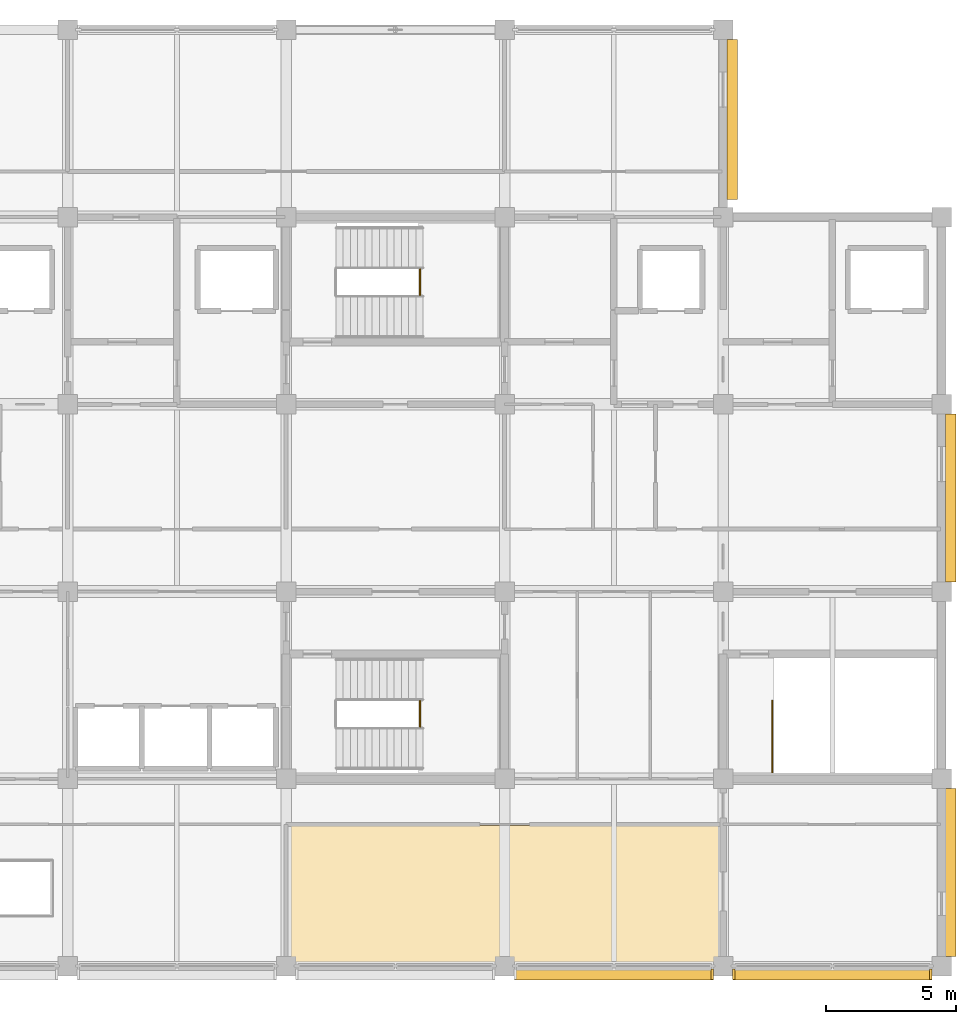
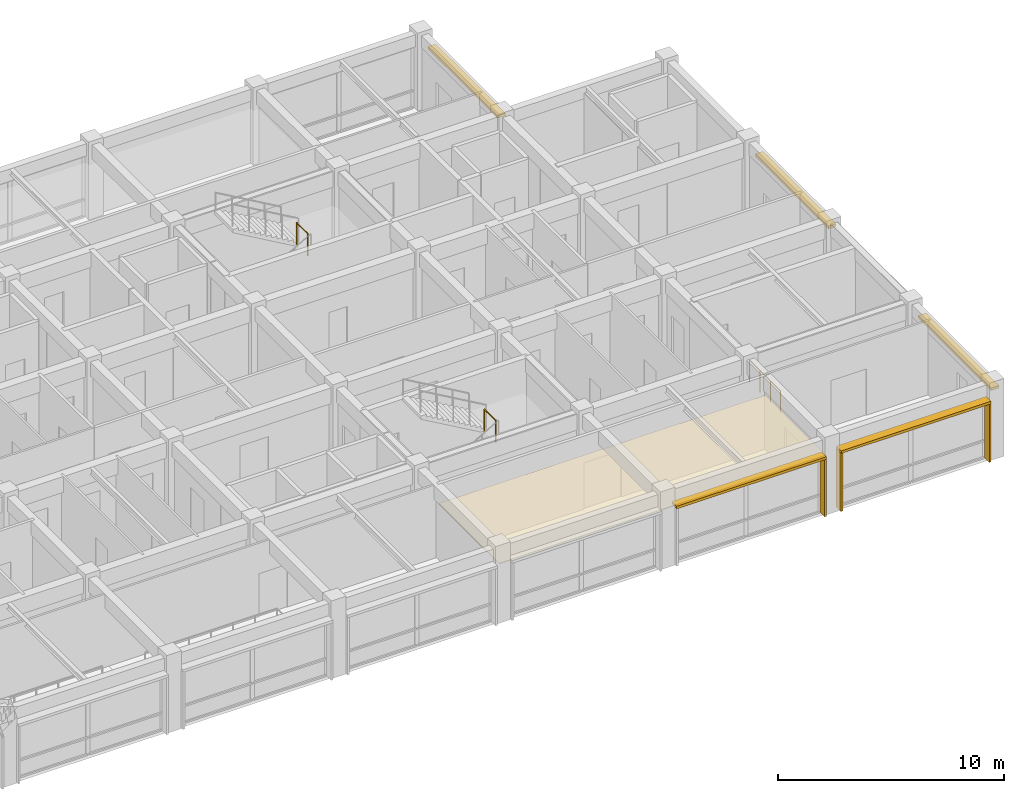
# One storey, part 23 of 23: 8 shading devices, 3 railings, 1 covering.
"""IFC4 building model written with IfcOpenShell, lengths in metres."""

from ifc_helpers import new_model, si_unit, direction, frame, origin, origin_2d, place, context, subcontext, project, spatial, polyline, rectangle, circle, outline, extrude, material, layer, layer_set, type_object, element, save


model = new_model("IFC4")

# Units and contexts
model_context = context("Model", 3, precision=1e-05, world=origin(), true_north=direction((0.0, 1.0)))
body_context = subcontext(model_context, "Body", "Model", "MODEL_VIEW")
ifc_project = project(units=[si_unit("LENGTHUNIT", "METRE"), si_unit("AREAUNIT", "SQUARE_METRE"), si_unit("VOLUMEUNIT", "CUBIC_METRE"), si_unit("PLANEANGLEUNIT", "RADIAN"), si_unit("MASSUNIT", "GRAM", prefix="KILO")], contexts=[model_context])

# Site, building, storey
site_placement = place(None, origin())
site = spatial("IfcSite", under=ifc_project, at=site_placement, CompositionType="ELEMENT")
building_placement = place(site_placement, origin())
building = spatial("IfcBuilding", under=site, at=building_placement, Name="Chengyuan Square Courthouse", CompositionType="ELEMENT")
storey_placement = place(building_placement, frame((0.0, 0.0, 43.5)))
storey = spatial("IfcBuildingStorey", under=building, at=storey_placement, Name="L10", CompositionType="ELEMENT", Elevation=43.5)

# Covering
ifc_material_1 = material(Name="Perforated Larch Glulam Acoustic Slat Ceiling", Category="wood")
ifc_layer = layer(ifc_material_1, 0.044921875)
ifc_layer_set = layer_set([ifc_layer], Name="Perforated Larch Glulam Acoustic Slat Ceiling")
covering_type = type_object("IfcCoveringType", Name="CLG-01", PredefinedType="CEILING", material=ifc_layer_set)
covering_placement = place(storey_placement, frame((0.0, 0.0, 2.85009765625)))
element("IfcCovering", 1, at=covering_placement, inside=storey, type_object=covering_type, Name="Acoustic Timber Slat Ceiling CLG-L10-CRT-A2", PredefinedType="CEILING", context=body_context, shape_type="SweptSolid", body=[
    extrude(outline(polyline([(100.85009765625, 79.25), (117.550048828125, 79.25), (117.550048828125, 84.60009765625), (100.85009765625, 84.60009765625), (100.85009765625, 79.25)])), origin(), (0.0, 0.0, 1.0), 0.044921875),
])

# Railings
ifc_material_2 = material(Name="Tempered Glass and Timber Top-Rail Balustrade", Category="wood")
railing_type = type_object("IfcRailingType", Name="RL-02", PredefinedType="BALUSTRADE", material=ifc_material_2)
for number, where, name in (
    (2, (105.949951171875, 105.0, 2.10009765625), "Stair Landing Guard ST-2-L10"),
    (3, (105.949951171875, 88.39990234375, 2.10009765625), "Stair Landing Guard ST-4-L10"),
):
    element("IfcRailing", number, at=place(storey_placement, frame(where)), inside=storey, type_object=railing_type, Name=name, PredefinedType="BALUSTRADE", context=body_context, shape_type="SweptSolid", body=[
        extrude(circle(Radius=0.02392578125, at=origin_2d()), frame((0.0, 0.0, 1.17578125), z_axis=(0.0, 1.0, 0.0), x_axis=(-1.0, 0.0, 0.0)), (0.0, 0.0, 1.0), 1.0),
        extrude(circle(Radius=0.02099609375, at=origin_2d()), origin(), (0.0, 0.0, 1.0), 1.15185546875),
        extrude(circle(Radius=0.02099609375, at=origin_2d()), frame((0.0, 1.0, 0.0)), (0.0, 0.0, 1.0), 1.15185546875),
    ])
railing_placement = place(storey_placement, frame((119.489990234375, 86.64990234375, 0.0)))
element("IfcRailing", 4, at=railing_placement, inside=storey, type_object=railing_type, Name="Stair Top Landing Guard ST-6 L10", PredefinedType="BALUSTRADE", context=body_context, shape_type="SweptSolid", body=[
    extrude(circle(Radius=0.02392578125, at=origin_2d()), frame((0.0, 0.0, 1.17578125), z_axis=(0.0, 1.0, 0.0), x_axis=(-1.0, 0.0, 0.0)), (0.0, 0.0, 1.0), 2.75),
    extrude(circle(Radius=0.02099609375, at=origin_2d()), origin(), (0.0, 0.0, 1.0), 1.15185546875),
    extrude(circle(Radius=0.02099609375, at=origin_2d()), frame((0.0, 0.916748046875, 0.0)), (0.0, 0.0, 1.0), 1.15185546875),
    extrude(circle(Radius=0.02099609375, at=origin_2d()), frame((0.0, 1.833251953125, 0.0)), (0.0, 0.0, 1.0), 1.15185546875),
    extrude(circle(Radius=0.02099609375, at=origin_2d()), frame((0.0, 2.75, 0.0)), (0.0, 0.0, 1.0), 1.15185546875),
])

# Shading devices
ifc_material_3 = material(Name="Glulam TCt28 Solar Shading Fin", Category="wood")
shading_device_type_1 = type_object("IfcShadingDeviceType", Name="SHD-01", PredefinedType="JALOUSIE", material=ifc_material_3)
shading_device_1_placement = place(storey_placement, frame((117.18505859375, 78.887939453125, 0.0400390625), z_axis=(0.0, 0.0, 1.0), x_axis=(0.0, 1.0, 0.0)))
element("IfcShadingDevice", 5, at=shading_device_1_placement, inside=storey, type_object=shading_device_type_1, Name="Glulam Solar Fin SHD-L10-0783", PredefinedType="JALOUSIE", context=body_context, shape_type="SweptSolid", body=[
    extrude(rectangle(XDim=0.419921875, YDim=0.094970703125, at=origin_2d()), origin(), (0.0, 0.0, 1.0), 3.090087890625),
])
for number, where, z_axis, x_axis, name in (
    (6, (118.014892578125, 78.887939453125, 0.0400390625), (0.0, 0.0, 1.0), (0.0, 1.0, 0.0), "Glulam Solar Fin SHD-L10-0786"),
    (7, (125.5849609375, 78.887939453125, 0.0400390625), (0.0, 0.0, 1.0), (0.0, 1.0, 0.0), "Glulam Solar Fin SHD-L10-0787"),
):
    element("IfcShadingDevice", number, at=place(storey_placement, frame(where, z_axis=z_axis, x_axis=x_axis)), inside=storey, type_object=shading_device_type_1, Name=name, PredefinedType="JALOUSIE", context=body_context, shape_type="SweptSolid", body=[
        extrude(rectangle(XDim=0.419921875, YDim=0.094970703125, at=origin_2d()), origin(), (0.0, 0.0, 1.0), 3.139892578125),
    ])
ifc_material_4 = material(Name="Glulam TCt28 Sunshade Louvre", Category="wood")
shading_device_type_2 = type_object("IfcShadingDeviceType", Name="SHD-02", PredefinedType="AWNING", material=ifc_material_4)
for number, where, z_axis, x_axis, name in (
    (8, (113.39990234375, 78.887939453125, 3.1298828125), (0.0, 0.0, 1.0), (1.0, 0.0, 0.0), "Glulam Sunshade Louvre SHD-L10-0784"),
    (9, (121.800048828125, 78.887939453125, 3.18017578125), (0.0, 0.0, 1.0), (1.0, 0.0, 0.0), "Glulam Sunshade Louvre SHD-L10-0788"),
):
    element("IfcShadingDevice", number, at=place(storey_placement, frame(where, z_axis=z_axis, x_axis=x_axis)), inside=storey, type_object=shading_device_type_2, Name=name, PredefinedType="AWNING", context=body_context, shape_type="SweptSolid", body=[
        extrude(rectangle(XDim=7.64990234375, YDim=0.43994140625, at=origin_2d()), origin(), (0.0, 0.0, 1.0), 0.139892578125),
    ])
ifc_material_5 = material(Name="Glulam TCt28 Facade Sunshade", Category="wood")
shading_device_type_3 = type_object("IfcShadingDeviceType", Name="SHD-03", PredefinedType="AWNING", material=ifc_material_5)
shading_device_2_placement = place(storey_placement, frame((117.951904296875, 111.75, 3.16015625), z_axis=(0.0, 0.0, 1.0), x_axis=(0.0, 1.0, 0.0)))
element("IfcShadingDevice", 10, at=shading_device_2_placement, inside=storey, type_object=shading_device_type_3, Name="Glulam Facade Sunshade SHD-L10-0785", PredefinedType="AWNING", context=body_context, shape_type="SweptSolid", body=[
    extrude(rectangle(XDim=6.159912109375, YDim=0.39990234375, at=origin_2d()), origin(), (0.0, 0.0, 1.0), 0.139892578125),
])
for number, where, z_axis, x_axis, name in (
    (11, (126.35205078125, 82.800048828125, 3.16015625), (0.0, 0.0, 1.0), (0.0, 1.0, 0.0), "Glulam Facade Sunshade SHD-L10-0789"),
    (12, (126.35205078125, 97.199951171875, 3.16015625), (0.0, 0.0, 1.0), (0.0, 1.0, 0.0), "Glulam Facade Sunshade SHD-L10-0790"),
):
    element("IfcShadingDevice", number, at=place(storey_placement, frame(where, z_axis=z_axis, x_axis=x_axis)), inside=storey, type_object=shading_device_type_3, Name=name, PredefinedType="AWNING", context=body_context, shape_type="SweptSolid", body=[
        extrude(rectangle(XDim=6.4599609375, YDim=0.39990234375, at=origin_2d()), origin(), (0.0, 0.0, 1.0), 0.139892578125),
    ])

save(model, "model.ifc")
